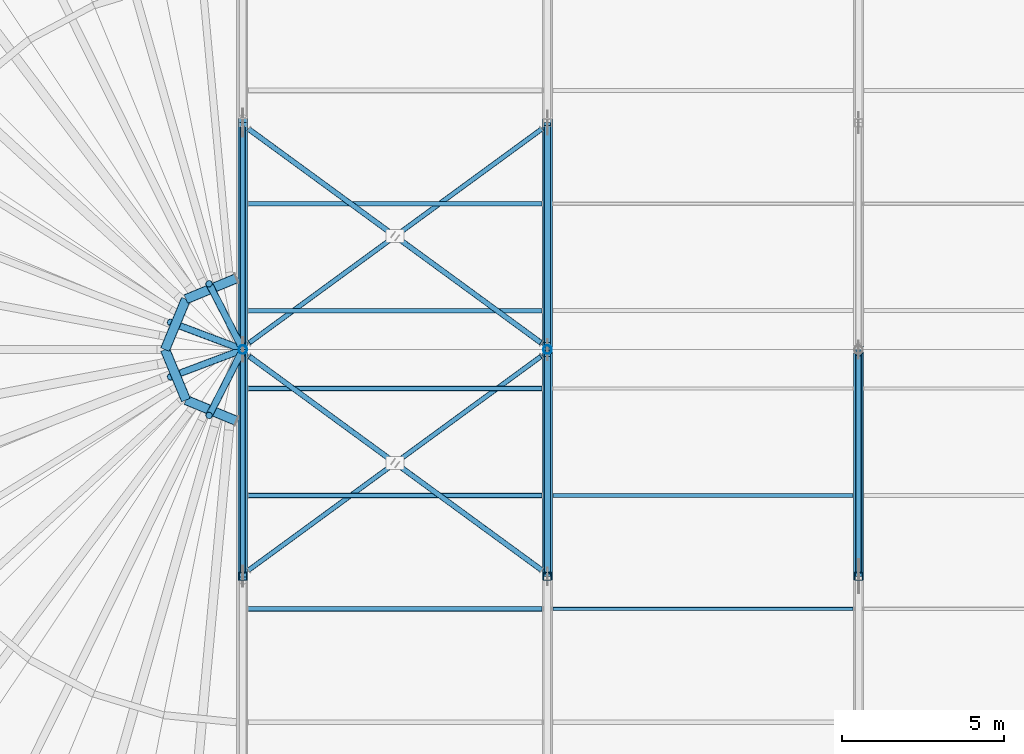
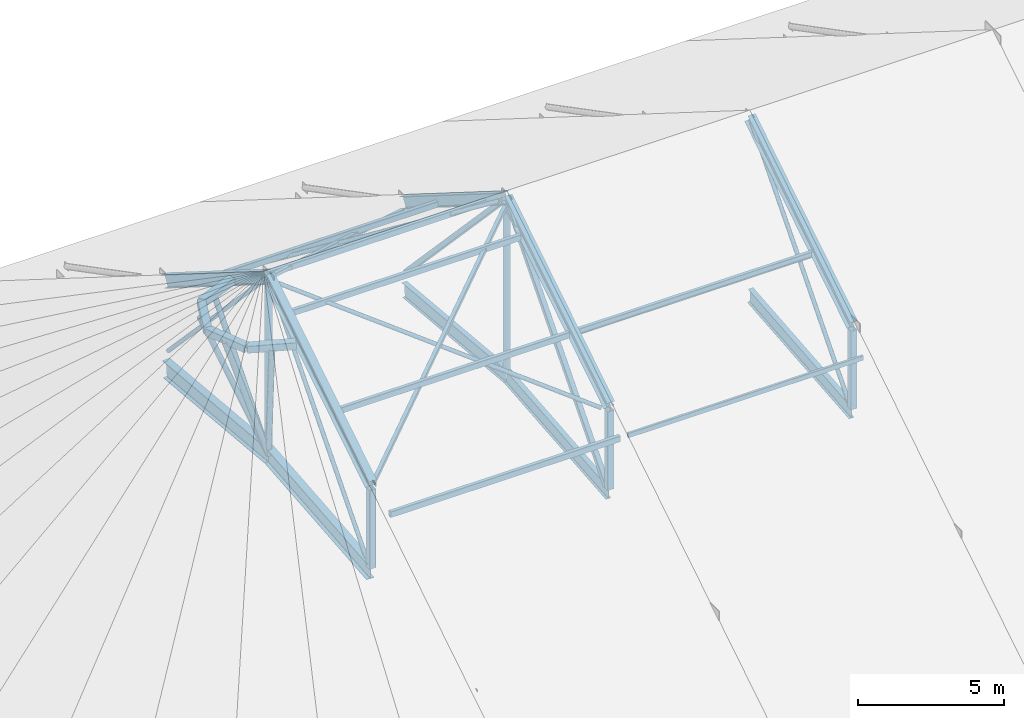
# One storey, part 3 of 66: 36 members, 5 beams.
"""IFC4 building model written with IfcOpenShell, lengths in metres."""

from ifc_helpers import new_model, si_unit, direction, frame, origin, origin_2d, place, context, subcontext, project, spatial, hollow_rectangle, hollow_circle, i_section, extrude, material, material_profile, profile_set, type_object, element, save


model = new_model("IFC4")

# Units and contexts
model_context = context("Model", 3, precision=1e-05, world=origin(), true_north=direction((0.0, 1.0)))
body_context = subcontext(model_context, "Body", "Model", "MODEL_VIEW")
ifc_project = project(units=[si_unit("LENGTHUNIT", "METRE"), si_unit("AREAUNIT", "SQUARE_METRE"), si_unit("VOLUMEUNIT", "CUBIC_METRE"), si_unit("PLANEANGLEUNIT", "RADIAN"), si_unit("MASSUNIT", "GRAM", prefix="KILO")], contexts=[model_context])

# Site, building, storey
site_placement = place(None, origin())
site = spatial("IfcSite", under=ifc_project, at=site_placement, CompositionType="ELEMENT")
building_placement = place(site_placement, origin())
building = spatial("IfcBuilding", under=site, at=building_placement, Name="Yeouljin Market Hall", CompositionType="ELEMENT")
storey_placement = place(building_placement, frame((0.0, 0.0, 23.39990234375)))
storey = spatial("IfcBuildingStorey", under=building, at=storey_placement, Name="RF", CompositionType="ELEMENT", Elevation=23.39990234375)

# Beams
ifc_material_1 = material(Name="Steel SM355", Category="steel")
ifc_material_profile_1 = material_profile(ifc_material_1, i_section(OverallWidth=0.199951171875, OverallDepth=0.60009765625, WebThickness=0.010986328125, FlangeThickness=0.01708984375, FilletRadius=0.02197265625, at=origin_2d()), Name="H-600x200x11x17")
ifc_profile_set_1 = profile_set([ifc_material_profile_1], Name="Steel SM355")
beam_type_1 = type_object("IfcBeamType", Name="Beam_H-600x200x11x17", PredefinedType="BEAM", material=ifc_profile_set_1)
for number, where, z_axis, x_axis, name in (
    (1, (45.0, 50.02001953125, -7.144287109375), (0.0, 0.995742692808, 0.092176405441), (-1.0, 0.0, 0.0), "Truss AT-02 arch rib 3"),
    (2, (45.0, 57.02001953125, -6.5), (0.0, 0.995742692808, -0.092176405441), (-1.0, 0.0, 0.0), "Truss AT-02 arch rib 4"),
    (3, (54.60009765625, 50.02001953125, -7.144287109375), (0.0, 0.995742692808, 0.092176405441), (-1.0, 0.0, 0.0), "Truss AT-03 arch rib 3"),
):
    element("IfcBeam", number, at=place(storey_placement, frame(where, z_axis=z_axis, x_axis=x_axis)), inside=storey, type_object=beam_type_1, Name=name, PredefinedType="BEAM", context=body_context, shape_type="SweptSolid", body=[
        extrude(i_section(OverallWidth=0.199951171875, OverallDepth=0.60009765625, WebThickness=0.010986328125, FlangeThickness=0.01708984375, FilletRadius=0.02197265625, at=origin_2d()), origin(), (0.0, 0.0, 1.0), 6.98974609375),
    ])

# Members
ifc_material_2 = material(Name="Steel SS275", Category="steel")
ifc_material_profile_2 = material_profile(ifc_material_2, hollow_circle(Radius=0.08251953125, WallThickness=0.006103515625, at=origin_2d()), Name="CHS-165.2x6")
ifc_profile_set_2 = profile_set([ifc_material_profile_2], Name="Steel SS275")
member_type_1 = type_object("IfcMemberType", Name="Brace_CHS-165.2x6", PredefinedType="BRACE", material=ifc_profile_set_2)
member_1_placement = place(storey_placement, frame((35.60009765625, 50.144287109375, -6.978271484375), z_axis=(0.0, 0.656456540155, 0.754363845162), x_axis=(-1.0, 0.0, 0.0)))
element("IfcMember", 4, at=member_1_placement, inside=storey, type_object=member_type_1, Name="Truss AT-01 web diagonal 3", PredefinedType="BRACE", context=body_context, shape_type="SweptSolid", body=[
    extrude(hollow_circle(Radius=0.08251953125, WallThickness=0.006103515625, at=origin_2d()), origin(), (0.0, 0.0, 1.0), 10.2236328125),
])
member_2_placement = place(storey_placement, frame((35.60009765625, 57.151123046875, 0.740234375), z_axis=(0.0, 0.687208071692, -0.726460643257), x_axis=(-1.0, 0.0, 0.0)))
element("IfcMember", 5, at=member_2_placement, inside=storey, type_object=member_type_1, Name="Truss AT-01 web diagonal 4", PredefinedType="BRACE", context=body_context, shape_type="SweptSolid", body=[
    extrude(hollow_circle(Radius=0.08251953125, WallThickness=0.006103515625, at=origin_2d()), origin(), (0.0, 0.0, 1.0), 9.746337890625),
])
member_3_placement = place(storey_placement, frame((54.60009765625, 50.144287109375, -6.978271484375), z_axis=(0.0, 0.656456540155, 0.754363845162), x_axis=(-1.0, 0.0, 0.0)))
element("IfcMember", 6, at=member_3_placement, inside=storey, type_object=member_type_1, Name="Truss AT-03 web diagonal 3", PredefinedType="BRACE", context=body_context, shape_type="SweptSolid", body=[
    extrude(hollow_circle(Radius=0.08251953125, WallThickness=0.006103515625, at=origin_2d()), origin(), (0.0, 0.0, 1.0), 10.2236328125),
])
for number, where, z_axis, x_axis, name in (
    (7, (35.785888671875, 56.800048828125, 0.72021484375), (0.751224298657, -0.549185956203, -0.366137731757), (0.590166738875, 0.807281376179, 0.0), "Roof wind brace 001B1"),
    (8, (40.371337890625, 53.44775390625, -1.5146484375), (0.751224298657, -0.549185956203, -0.366137731757), (0.590166738875, 0.807281376179, 0.0), "Roof wind brace 001B2"),
    (9, (35.785888671875, 63.800048828125, -3.679931640625), (0.751224298657, -0.549185956203, 0.366137731757), (0.590166738875, 0.807281376179, 0.0), "Roof wind brace 002B1"),
    (10, (40.371337890625, 60.44775390625, -1.445068359375), (0.751224298657, -0.549185956203, 0.366137731757), (0.590166738875, 0.807281376179, 0.0), "Roof wind brace 002B2"),
):
    element("IfcMember", number, at=place(storey_placement, frame(where, z_axis=z_axis, x_axis=x_axis)), inside=storey, type_object=member_type_1, Name=name, PredefinedType="BRACE", context=body_context, shape_type="SweptSolid", body=[
        extrude(hollow_circle(Radius=0.08251953125, WallThickness=0.006103515625, at=origin_2d()), origin(), (0.0, 0.0, 1.0), 5.913818359375),
    ])
ifc_material_3 = material(Name="Steel SS275", Category="steel")
ifc_material_profile_3 = material_profile(ifc_material_3, hollow_rectangle(XDim=0.14990234375, YDim=0.14990234375, WallThickness=0.006103515625, InnerFilletRadius=0.006103515625, OuterFilletRadius=0.011962890625, at=origin_2d()), Name="SHS-150x150x6")
ifc_profile_set_3 = profile_set([ifc_material_profile_3], Name="Steel SS275")
member_type_2 = type_object("IfcMemberType", Name="Brace_SHS-150x150x6", PredefinedType="BRACE", material=ifc_profile_set_3)
for number, where, z_axis, x_axis, name in (
    (11, (35.785888671875, 50.199951171875, -3.679931640625), (0.751222188762, 0.549191180156, 0.366134225048), (-0.590171477598, 0.807277911893, 0.0), "Roof wind brace 001A"),
    (12, (35.785888671875, 57.199951171875, 0.72021484375), (0.751222188762, 0.549191180156, -0.366134225048), (-0.590171477598, 0.807277911893, 0.0), "Roof wind brace 002A"),
):
    element("IfcMember", number, at=place(storey_placement, frame(where, z_axis=z_axis, x_axis=x_axis)), inside=storey, type_object=member_type_2, Name=name, PredefinedType="BRACE", context=body_context, shape_type="SweptSolid", body=[
        extrude(hollow_rectangle(XDim=0.14990234375, YDim=0.14990234375, WallThickness=0.006103515625, InnerFilletRadius=0.006103515625, OuterFilletRadius=0.011962890625, at=origin_2d()), origin(), (0.0, 0.0, 1.0), 12.017822265625),
    ])
ifc_material_4 = material(Name="Steel SM355", Category="steel")
ifc_material_profile_4 = material_profile(ifc_material_4, hollow_rectangle(XDim=0.199951171875, YDim=0.199951171875, WallThickness=0.008056640625, InnerFilletRadius=0.008056640625, OuterFilletRadius=0.01611328125, at=origin_2d()), Name="SHS-200x200x8")
ifc_profile_set_4 = profile_set([ifc_material_profile_4], Name="Steel SM355")
member_type_3 = type_object("IfcMemberType", Name="Brace_SHS-200x200x8", PredefinedType="BRACE", material=ifc_profile_set_4)
member_4_placement = place(storey_placement, frame((45.0, 50.144287109375, -6.978271484375), z_axis=(0.0, 0.656456540155, 0.754363845162), x_axis=(-1.0, 0.0, 0.0)))
element("IfcMember", 13, at=member_4_placement, inside=storey, type_object=member_type_3, Name="Truss AT-02 web diagonal 3", PredefinedType="BRACE", context=body_context, shape_type="SweptSolid", body=[
    extrude(hollow_rectangle(XDim=0.199951171875, YDim=0.199951171875, WallThickness=0.008056640625, InnerFilletRadius=0.008056640625, OuterFilletRadius=0.01611328125, at=origin_2d()), origin(), (0.0, 0.0, 1.0), 10.2236328125),
])
member_5_placement = place(storey_placement, frame((45.0, 57.151123046875, 0.740234375), z_axis=(0.0, 0.687208071692, -0.726460643257), x_axis=(-1.0, 0.0, 0.0)))
element("IfcMember", 14, at=member_5_placement, inside=storey, type_object=member_type_3, Name="Truss AT-02 web diagonal 4", PredefinedType="BRACE", context=body_context, shape_type="SweptSolid", body=[
    extrude(hollow_rectangle(XDim=0.199951171875, YDim=0.199951171875, WallThickness=0.008056640625, InnerFilletRadius=0.008056640625, OuterFilletRadius=0.01611328125, at=origin_2d()), origin(), (0.0, 0.0, 1.0), 9.746337890625),
])
ifc_material_5 = material(Name="Steel SM355", Category="steel")
ifc_material_profile_5 = material_profile(ifc_material_5, i_section(OverallWidth=0.300048828125, OverallDepth=0.43994140625, WebThickness=0.010986328125, FlangeThickness=0.01806640625, FilletRadius=0.02001953125, at=origin_2d()), Name="H-440x300x11x18")
ifc_profile_set_5 = profile_set([ifc_material_profile_5], Name="Steel SM355")
member_type_4 = type_object("IfcMemberType", Name="Chord_H-440x300x11x18", PredefinedType="CHORD", material=ifc_profile_set_5)
for number, where, z_axis, x_axis, name in (
    (15, (45.0, 50.0, -3.5), (0.0, 0.846628566691, 0.532184244471), (-1.0, 0.0, 0.0), "Truss AT-02 top chord 3"),
    (16, (45.0, 57.0, 0.900146484375), (0.0, 0.846628566691, -0.532184244471), (-1.0, 0.0, 0.0), "Truss AT-02 top chord 4"),
    (17, (54.60009765625, 50.0, -3.5), (0.0, 0.846628566691, 0.532184244471), (-1.0, 0.0, 0.0), "Truss AT-03 top chord 3"),
):
    element("IfcMember", number, at=place(storey_placement, frame(where, z_axis=z_axis, x_axis=x_axis)), inside=storey, type_object=member_type_4, Name=name, PredefinedType="CHORD", context=body_context, shape_type="SweptSolid", body=[
        extrude(i_section(OverallWidth=0.300048828125, OverallDepth=0.43994140625, WebThickness=0.010986328125, FlangeThickness=0.01806640625, FilletRadius=0.02001953125, at=origin_2d()), origin(), (0.0, 0.0, 1.0), 8.26806640625),
    ])
ifc_material_6 = material(Name="Steel SM355", Category="steel")
ifc_material_profile_6 = material_profile(ifc_material_6, i_section(OverallWidth=0.300048828125, OverallDepth=0.488037109375, WebThickness=0.010986328125, FlangeThickness=0.01806640625, FilletRadius=0.02197265625, at=origin_2d()), Name="H-488x300x11x18")
ifc_profile_set_6 = profile_set([ifc_material_profile_6], Name="Steel SM355")
member_type_5 = type_object("IfcMemberType", Name="Chord_H-488x300x11x18", PredefinedType="CHORD", material=ifc_profile_set_6)
for number, where, z_axis, x_axis, name in (
    (18, (35.60009765625, 50.0, -3.5), (0.0, 0.846628566691, 0.532184244471), (-1.0, 0.0, 0.0), "Truss AT-01 top chord 3"),
    (19, (35.60009765625, 57.0, 0.900146484375), (0.0, 0.846628566691, -0.532184244471), (-1.0, 0.0, 0.0), "Truss AT-01 top chord 4"),
):
    element("IfcMember", number, at=place(storey_placement, frame(where, z_axis=z_axis, x_axis=x_axis)), inside=storey, type_object=member_type_5, Name=name, PredefinedType="CHORD", context=body_context, shape_type="SweptSolid", body=[
        extrude(i_section(OverallWidth=0.300048828125, OverallDepth=0.488037109375, WebThickness=0.010986328125, FlangeThickness=0.01806640625, FilletRadius=0.02197265625, at=origin_2d()), origin(), (0.0, 0.0, 1.0), 8.26806640625),
    ])
ifc_material_7 = material(Name="Steel SM355", Category="steel")
ifc_material_profile_7 = material_profile(ifc_material_7, hollow_rectangle(XDim=0.300048828125, YDim=0.300048828125, WallThickness=0.010009765625, InnerFilletRadius=0.010009765625, OuterFilletRadius=0.01611328125, at=origin_2d()), Name="SHS-300x300x10")
ifc_profile_set_7 = profile_set([ifc_material_profile_7], Name="Steel SM355")
member_type_6 = type_object("IfcMemberType", Name="Chord_SHS-300x300x10", PredefinedType="CHORD", material=ifc_profile_set_7)
member_6_placement = place(storey_placement, frame((35.39990234375, 54.800048828125, -0.5), z_axis=(-0.923877205147, 0.382689051072, 0.0), x_axis=(-0.382689051072, -0.923877205147, 0.0)))
element("IfcMember", 20, at=member_6_placement, inside=storey, type_object=member_type_6, Name="Apse compression ring segment west 1", PredefinedType="CHORD", context=body_context, shape_type="SweptSolid", body=[
    extrude(hollow_rectangle(XDim=0.300048828125, YDim=0.300048828125, WallThickness=0.010009765625, InnerFilletRadius=0.010009765625, OuterFilletRadius=0.01611328125, at=origin_2d()), origin(), (0.0, 0.0, 1.0), 1.68359375),
])
for number, where, z_axis, x_axis, name in (
    (21, (33.844482421875, 55.4443359375, -0.5), (-0.382761541363, 0.923847174836, 0.0), (-0.923847174836, -0.382761541363, 0.0), "Apse compression ring segment west 2"),
    (22, (33.199951171875, 57.0, -0.5), (0.382761541363, 0.923847174836, 0.0), (-0.923847174836, 0.382761541363, 0.0), "Apse compression ring segment west 3"),
):
    element("IfcMember", number, at=place(storey_placement, frame(where, z_axis=z_axis, x_axis=x_axis)), inside=storey, type_object=member_type_6, Name=name, PredefinedType="CHORD", context=body_context, shape_type="SweptSolid", body=[
        extrude(hollow_rectangle(XDim=0.300048828125, YDim=0.300048828125, WallThickness=0.010009765625, InnerFilletRadius=0.010009765625, OuterFilletRadius=0.01611328125, at=origin_2d()), origin(), (0.0, 0.0, 1.0), 1.683837890625),
    ])
member_7_placement = place(storey_placement, frame((33.844482421875, 58.5556640625, -0.5), z_axis=(0.923877205147, 0.382689051072, 0.0), x_axis=(-0.382689051072, 0.923877205147, 0.0)))
element("IfcMember", 23, at=member_7_placement, inside=storey, type_object=member_type_6, Name="Apse compression ring segment west 4", PredefinedType="CHORD", context=body_context, shape_type="SweptSolid", body=[
    extrude(hollow_rectangle(XDim=0.300048828125, YDim=0.300048828125, WallThickness=0.010009765625, InnerFilletRadius=0.010009765625, OuterFilletRadius=0.01611328125, at=origin_2d()), origin(), (0.0, 0.0, 1.0), 1.68359375),
])

# Beams
ifc_material_8 = material(Name="Steel SM355", Category="steel")
ifc_material_profile_8 = material_profile(ifc_material_8, i_section(OverallWidth=0.300048828125, OverallDepth=0.699951171875, WebThickness=0.012939453125, FlangeThickness=0.02392578125, FilletRadius=0.02587890625, at=origin_2d()), Name="H-700x300x13x24")
ifc_profile_set_8 = profile_set([ifc_material_profile_8], Name="Steel SM355")
beam_type_2 = type_object("IfcBeamType", Name="Girder_H-700x300x13x24", PredefinedType="USERDEFINED", material=ifc_profile_set_8)
for number, where, z_axis, x_axis, name in (
    (24, (35.60009765625, 50.02001953125, -7.144287109375), (0.0, 0.995742692808, 0.092176405441), (-1.0, 0.0, 0.0), "Truss AT-01 arch rib 3"),
    (25, (35.60009765625, 57.02001953125, -6.5), (0.0, 0.995742692808, -0.092176405441), (-1.0, 0.0, 0.0), "Truss AT-01 arch rib 4"),
):
    element("IfcBeam", number, at=place(storey_placement, frame(where, z_axis=z_axis, x_axis=x_axis)), inside=storey, type_object=beam_type_2, Name=name, ObjectType="GIRDER", PredefinedType="USERDEFINED", context=body_context, shape_type="SweptSolid", body=[
        extrude(i_section(OverallWidth=0.300048828125, OverallDepth=0.699951171875, WebThickness=0.012939453125, FlangeThickness=0.02392578125, FilletRadius=0.02587890625, at=origin_2d()), origin(), (0.0, 0.0, 1.0), 6.98974609375),
    ])

# Members
ifc_material_9 = material(Name="Steel SM355", Category="steel")
ifc_material_profile_9 = material_profile(ifc_material_9, i_section(OverallWidth=0.125, OverallDepth=0.25, WebThickness=0.006103515625, FlangeThickness=0.009033203125, FilletRadius=0.011962890625, at=origin_2d()), Name="H-250x125x6x9")
ifc_profile_set_9 = profile_set([ifc_material_profile_9], Name="Steel SM355")
member_type_7 = type_object("IfcMemberType", Name="Purlin_H-250x125x6x9", PredefinedType="PURLIN", material=ifc_profile_set_9)
member_8_placement = place(storey_placement, frame((45.166015625, 52.5, -2.008544921875), z_axis=(1.0, 0.0, 0.0), x_axis=(0.0, 1.0, 0.0)))
element("IfcMember", 26, at=member_8_placement, inside=storey, type_object=member_type_7, Name="Nave roof purlin 017", PredefinedType="PURLIN", context=body_context, shape_type="SweptSolid", body=[
    extrude(i_section(OverallWidth=0.125, OverallDepth=0.25, WebThickness=0.006103515625, FlangeThickness=0.009033203125, FilletRadius=0.011962890625, at=origin_2d()), origin(), (0.0, 0.0, 1.0), 9.26806640625),
])
ifc_material_10 = material(Name="Steel SS275", Category="steel")
ifc_material_profile_10 = material_profile(ifc_material_10, hollow_rectangle(XDim=0.10009765625, YDim=0.199951171875, WallThickness=0.006103515625, InnerFilletRadius=0.006103515625, OuterFilletRadius=0.011962890625, at=origin_2d()), Name="RHS-200x100x6")
ifc_profile_set_10 = profile_set([ifc_material_profile_10], Name="Steel SS275")
member_type_8 = type_object("IfcMemberType", Name="Purlin_RHS-200x100x6", PredefinedType="PURLIN", material=ifc_profile_set_10)
member_9_placement = place(storey_placement, frame((45.166015625, 49.0, -4.20849609375), z_axis=(1.0, 0.0, 0.0), x_axis=(0.0, 1.0, 0.0)))
element("IfcMember", 27, at=member_9_placement, inside=storey, type_object=member_type_8, Name="Nave roof purlin 016", PredefinedType="PURLIN", context=body_context, shape_type="SweptSolid", body=[
    extrude(hollow_rectangle(XDim=0.10009765625, YDim=0.199951171875, WallThickness=0.006103515625, InnerFilletRadius=0.006103515625, OuterFilletRadius=0.011962890625, at=origin_2d()), origin(), (0.0, 0.0, 1.0), 9.26806640625),
])
ifc_material_11 = material(Name="Steel SM355", Category="steel")
ifc_material_profile_11 = material_profile(ifc_material_11, hollow_rectangle(XDim=0.14990234375, YDim=0.25, WallThickness=0.008056640625, InnerFilletRadius=0.008056640625, OuterFilletRadius=0.01611328125, at=origin_2d()), Name="RHS-250x150x8")
ifc_profile_set_11 = profile_set([ifc_material_profile_11], Name="Steel SM355")
member_type_9 = type_object("IfcMemberType", Name="Purlin_RHS-250x150x8", PredefinedType="PURLIN", material=ifc_profile_set_11)
for number, where, z_axis, x_axis, name in (
    (28, (35.76611328125, 49.0, -4.20849609375), (1.0, 0.0, 0.0), (0.0, 1.0, 0.0), "Nave roof purlin 004"),
    (29, (35.76611328125, 52.5, -2.008544921875), (1.0, 0.0, 0.0), (0.0, 1.0, 0.0), "Nave roof purlin 005"),
    (30, (35.76611328125, 55.800048828125, 0.06591796875), (1.0, 0.0, 0.0), (0.0, 1.0, 0.0), "Nave roof purlin 006"),
    (31, (35.76611328125, 58.199951171875, 0.06591796875), (1.0, 0.0, 0.0), (0.0, 1.0, 0.0), "Nave roof purlin 007"),
    (32, (35.76611328125, 61.5, -2.008544921875), (1.0, 0.0, 0.0), (0.0, 1.0, 0.0), "Nave roof purlin 008"),
):
    element("IfcMember", number, at=place(storey_placement, frame(where, z_axis=z_axis, x_axis=x_axis)), inside=storey, type_object=member_type_9, Name=name, PredefinedType="PURLIN", context=body_context, shape_type="SweptSolid", body=[
        extrude(hollow_rectangle(XDim=0.14990234375, YDim=0.25, WallThickness=0.008056640625, InnerFilletRadius=0.008056640625, OuterFilletRadius=0.01611328125, at=origin_2d()), origin(), (0.0, 0.0, 1.0), 9.06787109375),
    ])
ifc_material_12 = material(Name="Steel SM355", Category="steel")
ifc_material_profile_12 = material_profile(ifc_material_12, hollow_circle(Radius=0.108154296875, WallThickness=0.008056640625, at=origin_2d()), Name="CHS-216.3x8")
ifc_profile_set_12 = profile_set([ifc_material_profile_12], Name="Steel SM355")
member_type_10 = type_object("IfcMemberType", Name="Strut_CHS-216.3x8", PredefinedType="STRUT", material=ifc_profile_set_12)
member_10_placement = place(storey_placement, frame((35.60009765625, 57.0, -6.5), z_axis=(-0.162303518149, -0.316583127599, 0.934576209475), x_axis=(0.889870874592, -0.456212479611, 0.0)))
element("IfcMember", 33, at=member_10_placement, inside=storey, type_object=member_type_10, Name="Apse crown support strut west 1", PredefinedType="STRUT", context=body_context, shape_type="SweptSolid", body=[
    extrude(hollow_circle(Radius=0.108154296875, WallThickness=0.008056640625, at=origin_2d()), origin(), (0.0, 0.0, 1.0), 6.419921875),
])
for number, where, z_axis, x_axis, name in (
    (34, (35.60009765625, 57.0, -6.5), (-0.345772144977, -0.130368764995, 0.929217740291), (0.352793614865, -0.935701162397, 0.0), "Apse crown support strut west 2"),
    (35, (35.60009765625, 57.0, -6.5), (-0.345772144977, 0.130368764995, 0.929217740291), (-0.352793614865, -0.935701162397, 0.0), "Apse crown support strut west 3"),
):
    element("IfcMember", number, at=place(storey_placement, frame(where, z_axis=z_axis, x_axis=x_axis)), inside=storey, type_object=member_type_10, Name=name, PredefinedType="STRUT", context=body_context, shape_type="SweptSolid", body=[
        extrude(hollow_circle(Radius=0.108154296875, WallThickness=0.008056640625, at=origin_2d()), origin(), (0.0, 0.0, 1.0), 6.45703125),
    ])
member_11_placement = place(storey_placement, frame((35.60009765625, 57.0, -6.5), z_axis=(-0.162303518149, 0.316583127599, 0.934576209475), x_axis=(-0.889870874592, -0.456212479611, 0.0)))
element("IfcMember", 36, at=member_11_placement, inside=storey, type_object=member_type_10, Name="Apse crown support strut west 4", PredefinedType="STRUT", context=body_context, shape_type="SweptSolid", body=[
    extrude(hollow_circle(Radius=0.108154296875, WallThickness=0.008056640625, at=origin_2d()), origin(), (0.0, 0.0, 1.0), 6.419921875),
])
ifc_material_13 = material(Name="Steel SM355", Category="steel")
ifc_material_profile_13 = material_profile(ifc_material_13, hollow_circle(Radius=0.1337890625, WallThickness=0.009033203125, at=origin_2d()), Name="CHS-267.4x9")
ifc_profile_set_13 = profile_set([ifc_material_profile_13], Name="Steel SM355")
member_type_11 = type_object("IfcMemberType", Name="Strut_CHS-267.4x9", PredefinedType="STRUT", material=ifc_profile_set_13)
for number, where, z_axis, x_axis, name in (
    (37, (35.60009765625, 57.0, -6.31982421875), (0.0, 0.0, 1.0), (1.0, 0.0, 0.0), "Truss AT-01 vertical strut 3"),
    (38, (45.0, 57.0, -6.31982421875), (0.0, 0.0, 1.0), (1.0, 0.0, 0.0), "Truss AT-02 vertical strut 3"),
):
    element("IfcMember", number, at=place(storey_placement, frame(where, z_axis=z_axis, x_axis=x_axis)), inside=storey, type_object=member_type_11, Name=name, PredefinedType="STRUT", context=body_context, shape_type="SweptSolid", body=[
        extrude(hollow_circle(Radius=0.1337890625, WallThickness=0.009033203125, at=origin_2d()), origin(), (0.0, 0.0, 1.0), 7.0400390625),
    ])
ifc_material_14 = material(Name="Steel SM355", Category="steel")
ifc_material_profile_14 = material_profile(ifc_material_14, hollow_rectangle(XDim=0.25, YDim=0.25, WallThickness=0.009033203125, InnerFilletRadius=0.009033203125, OuterFilletRadius=0.01611328125, at=origin_2d()), Name="SHS-250x250x9")
ifc_profile_set_14 = profile_set([ifc_material_profile_14], Name="Steel SM355")
member_type_12 = type_object("IfcMemberType", Name="Strut_SHS-250x250x9", PredefinedType="STRUT", material=ifc_profile_set_14)
for number, where, z_axis, x_axis, name in (
    (39, (35.60009765625, 50.0, -6.96435546875), (0.0, 0.0, 1.0), (1.0, 0.0, 0.0), "Truss AT-01 vertical strut 2"),
    (40, (45.0, 50.0, -6.96435546875), (0.0, 0.0, 1.0), (1.0, 0.0, 0.0), "Truss AT-02 vertical strut 2"),
    (41, (54.60009765625, 50.0, -6.96435546875), (0.0, 0.0, 1.0), (1.0, 0.0, 0.0), "Truss AT-03 vertical strut 2"),
):
    element("IfcMember", number, at=place(storey_placement, frame(where, z_axis=z_axis, x_axis=x_axis)), inside=storey, type_object=member_type_12, Name=name, PredefinedType="STRUT", context=body_context, shape_type="SweptSolid", body=[
        extrude(hollow_rectangle(XDim=0.25, YDim=0.25, WallThickness=0.009033203125, InnerFilletRadius=0.009033203125, OuterFilletRadius=0.01611328125, at=origin_2d()), origin(), (0.0, 0.0, 1.0), 3.284423828125),
    ])

save(model, "model.ifc")
